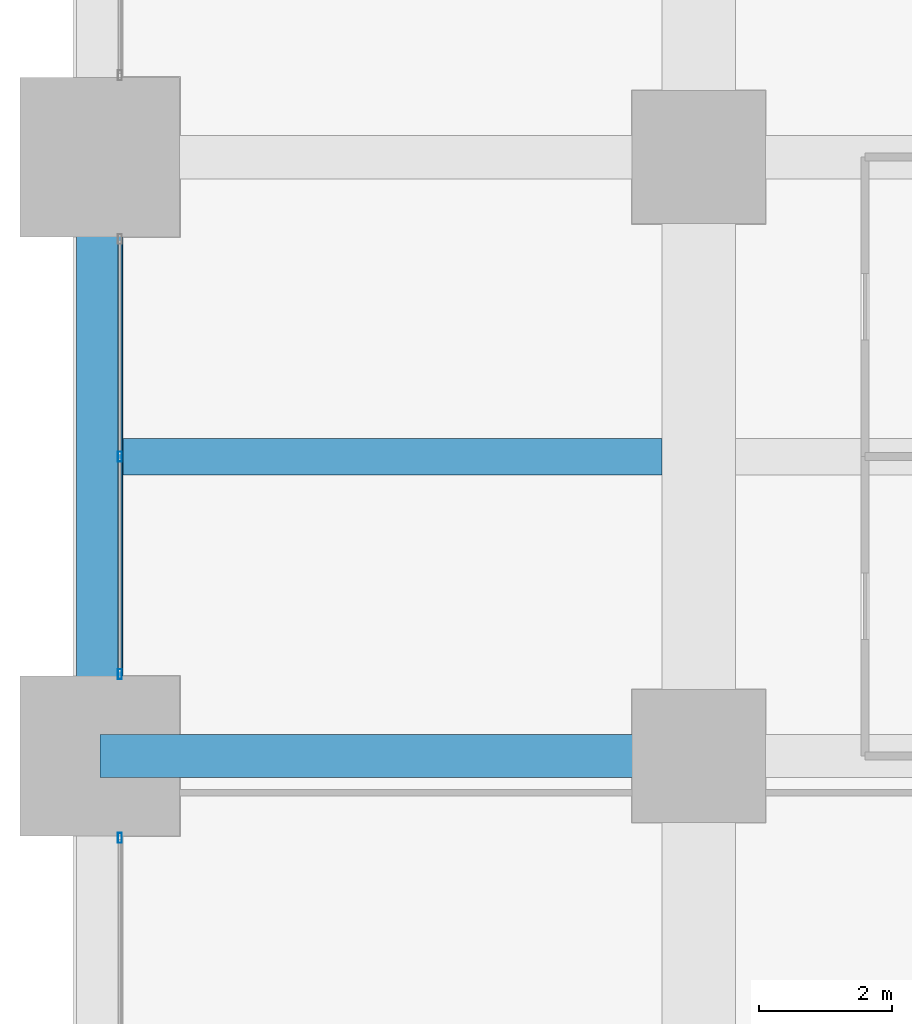
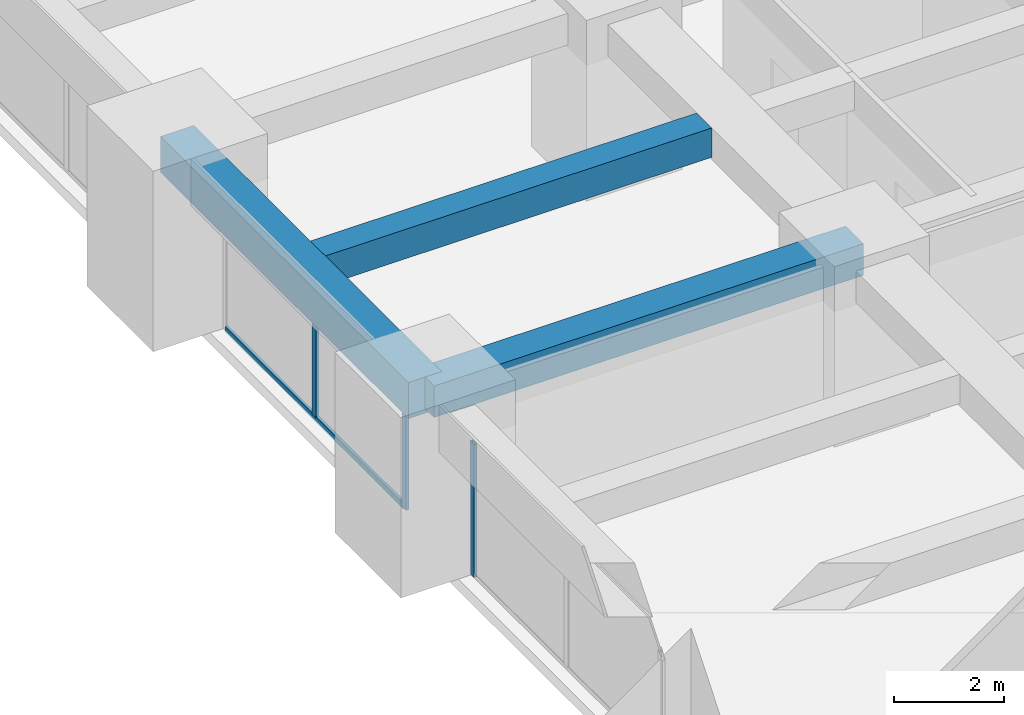
# One storey, part 9 of 40: 4 members, 3 beams, 2 elements without a shape of their own.
"""IFC4 building model written with IfcOpenShell, lengths in metres."""

from ifc_helpers import new_model, si_unit, direction, frame, origin, origin_2d, place, context, subcontext, project, spatial, rectangle, hollow_rectangle, extrude, material, material_profile, profile_set, type_object, element, aggregate, save


model = new_model("IFC4")

# Units and contexts
model_context = context("Model", 3, precision=1e-05, world=origin(), true_north=direction((0.0, 1.0)))
body_context = subcontext(model_context, "Body", "Model", "MODEL_VIEW")
ifc_project = project(units=[si_unit("LENGTHUNIT", "METRE"), si_unit("AREAUNIT", "SQUARE_METRE"), si_unit("VOLUMEUNIT", "CUBIC_METRE"), si_unit("PLANEANGLEUNIT", "RADIAN"), si_unit("MASSUNIT", "GRAM", prefix="KILO")], contexts=[model_context])

# Site, building, storey
site_placement = place(None, origin())
site = spatial("IfcSite", under=ifc_project, at=site_placement, CompositionType="ELEMENT")
building_placement = place(site_placement, origin())
building = spatial("IfcBuilding", under=site, at=building_placement, Name="Zorevar Civic Tower", CompositionType="ELEMENT")
storey_placement = place(building_placement, frame((0.0, 0.0, 93.0)))
storey = spatial("IfcBuildingStorey", under=building, at=storey_placement, Name="L22", CompositionType="ELEMENT", Elevation=93.0)

# Beams
ifc_material_1 = material(Name="Concrete C50/60", Category="concrete")
ifc_material_profile_1 = material_profile(ifc_material_1, rectangle(XDim=0.550048828125, YDim=0.64990234375, at=origin_2d()), Name="RC 550x650")
ifc_profile_set_1 = profile_set([ifc_material_profile_1], Name="Concrete C50/60")
beam_type_1 = type_object("IfcBeamType", Name="Beam RC 550x650", PredefinedType="BEAM", material=ifc_profile_set_1)
beam_1_placement = place(storey_placement, frame((0.35009765625, 22.5, 3.425048828125), z_axis=(1.0, 0.0, 0.0), x_axis=(0.0, 1.0, 0.0)))
element("IfcBeam", 1, at=beam_1_placement, inside=storey, type_object=beam_type_1, Name="Secondary beam L23", PredefinedType="BEAM", context=body_context, shape_type="SweptSolid", body=[
    extrude(rectangle(XDim=0.550048828125, YDim=0.64990234375, at=origin_2d()), origin(), (0.0, 0.0, 1.0), 8.099853515625),
])
ifc_material_2 = material(Name="Concrete C50/60", Category="concrete")
ifc_material_profile_2 = material_profile(ifc_material_2, rectangle(XDim=0.64990234375, YDim=0.699951171875, at=origin_2d()), Name="RC 650x700")
ifc_profile_set_2 = profile_set([ifc_material_profile_2], Name="Concrete C50/60")
beam_type_2 = type_object("IfcBeamType", Name="Beam RC 650x700", PredefinedType="BEAM", material=ifc_profile_set_2)
beam_2_placement = place(storey_placement, frame((0.0, 18.0, 3.39990234375), z_axis=(1.0, 0.0, 0.0), x_axis=(0.0, 1.0, 0.0)))
element("IfcBeam", 2, at=beam_2_placement, inside=storey, type_object=beam_type_2, Name="Girder L23", PredefinedType="BEAM", context=body_context, shape_type="SweptSolid", body=[
    extrude(rectangle(XDim=0.64990234375, YDim=0.699951171875, at=origin_2d()), origin(), (0.0, 0.0, 1.0), 9.0),
])

# Curtain wall, member
ifc_material_3 = material(Name="Dark grey solar-control glass in black aluminium frame", Category="aluminium")
curtain_wall_type = type_object("IfcCurtainWallType", Name="Curtain wall CW3 mid zone", PredefinedType="NOTDEFINED", material=ifc_material_3)
curtain_wall_1_placement = place(storey_placement, origin())
curtain_wall_1 = element("IfcCurtainWall", 3, at=curtain_wall_1_placement, inside=storey, type_object=curtain_wall_type, Name="CW3 L22", PredefinedType="NOTDEFINED")
ifc_material_4 = material(Name="Aluminium, black anodised", Category="aluminium")
ifc_material_profile_3 = material_profile(ifc_material_4, hollow_rectangle(XDim=0.06005859375, YDim=0.14990234375, WallThickness=0.00390625, at=origin_2d()), Name="AL 150x60x4")
ifc_profile_set_3 = profile_set([ifc_material_profile_3], Name="Aluminium, black anodised")
member_type_1 = type_object("IfcMemberType", Name="CW3 mullion AL 150x60x4", PredefinedType="MULLION", material=ifc_profile_set_3)
member_1_placement = place(storey_placement, frame((0.300048828125, 16.77001953125, 0.0), z_axis=(0.0, 0.0, 1.0), x_axis=(-1.0, 0.0, 0.0)))
member_1 = element("IfcMember", 4, at=member_1_placement, type_object=member_type_1, Name="CW3 mullion 3", PredefinedType="MULLION", context=body_context, shape_type="SweptSolid", body=[
    extrude(hollow_rectangle(XDim=0.06005859375, YDim=0.14990234375, WallThickness=0.00390625, at=origin_2d()), origin(), (0.0, 0.0, 1.0), 2.949951171875),
])
aggregate(curtain_wall_1, [member_1])

# Curtain wall, members
curtain_wall_2_placement = place(storey_placement, origin())
curtain_wall_2 = element("IfcCurtainWall", 5, at=curtain_wall_2_placement, inside=storey, type_object=curtain_wall_type, Name="CW3 L22", PredefinedType="NOTDEFINED")
member_2_placement = place(storey_placement, frame((0.300048828125, 19.22998046875, 0.0), z_axis=(0.0, 0.0, 1.0), x_axis=(-1.0, 0.0, 0.0)))
member_2 = element("IfcMember", 6, at=member_2_placement, type_object=member_type_1, Name="CW3 mullion 1", PredefinedType="MULLION", context=body_context, shape_type="SweptSolid", body=[
    extrude(hollow_rectangle(XDim=0.06005859375, YDim=0.14990234375, WallThickness=0.00390625, at=origin_2d()), origin(), (0.0, 0.0, 1.0), 2.949951171875),
])
member_3_placement = place(storey_placement, frame((0.300048828125, 22.5, 0.06005859375), z_axis=(0.0, 0.0, 1.0), x_axis=(-1.0, 0.0, 0.0)))
member_3 = element("IfcMember", 7, at=member_3_placement, type_object=member_type_1, Name="CW3 mullion 2", PredefinedType="MULLION", context=body_context, shape_type="SweptSolid", body=[
    extrude(hollow_rectangle(XDim=0.06005859375, YDim=0.14990234375, WallThickness=0.00390625, at=origin_2d()), origin(), (0.0, 0.0, 1.0), 2.889892578125),
])
ifc_material_5 = material(Name="Aluminium, black anodised", Category="aluminium")
ifc_material_profile_4 = material_profile(ifc_material_5, hollow_rectangle(XDim=0.06005859375, YDim=0.1201171875, WallThickness=0.0029296875, at=origin_2d()), Name="AL 120x60x3")
ifc_profile_set_4 = profile_set([ifc_material_profile_4], Name="Aluminium, black anodised")
member_type_2 = type_object("IfcMemberType", Name="CW3 transom AL 120x60x3", PredefinedType="USERDEFINED", material=ifc_profile_set_4)
member_4_placement = place(storey_placement, frame((0.300048828125, 19.260009765625, 0.030029296875), z_axis=(0.0, 1.0, 0.0), x_axis=(-1.0, 0.0, 0.0)))
member_4 = element("IfcMember", 8, at=member_4_placement, type_object=member_type_2, Name="CW3 sill transom", ObjectType="TRANSOM", PredefinedType="USERDEFINED", context=body_context, shape_type="SweptSolid", body=[
    extrude(hollow_rectangle(XDim=0.06005859375, YDim=0.1201171875, WallThickness=0.0029296875, at=origin_2d()), origin(), (0.0, 0.0, 1.0), 6.47998046875),
])
aggregate(curtain_wall_2, [member_2, member_3, member_4])

# Beam
ifc_material_6 = material(Name="Concrete C50/60", Category="concrete")
ifc_material_profile_5 = material_profile(ifc_material_6, rectangle(XDim=0.699951171875, YDim=0.800048828125, at=origin_2d()), Name="RC 700x800")
ifc_profile_set_5 = profile_set([ifc_material_profile_5], Name="Concrete C50/60")
beam_type_3 = type_object("IfcBeamType", Name="Edge beam RC 700x800", PredefinedType="SPANDREL", material=ifc_profile_set_5)
beam_3_placement = place(storey_placement, frame((0.0, 18.0, 3.35009765625), z_axis=(0.0, 1.0, 0.0), x_axis=(-1.0, 0.0, 0.0)))
element("IfcBeam", 9, at=beam_3_placement, inside=storey, type_object=beam_type_3, Name="Edge beam L23", PredefinedType="SPANDREL", context=body_context, shape_type="SweptSolid", body=[
    extrude(rectangle(XDim=0.699951171875, YDim=0.800048828125, at=origin_2d()), origin(), (0.0, 0.0, 1.0), 9.0),
])

save(model, "model.ifc")
